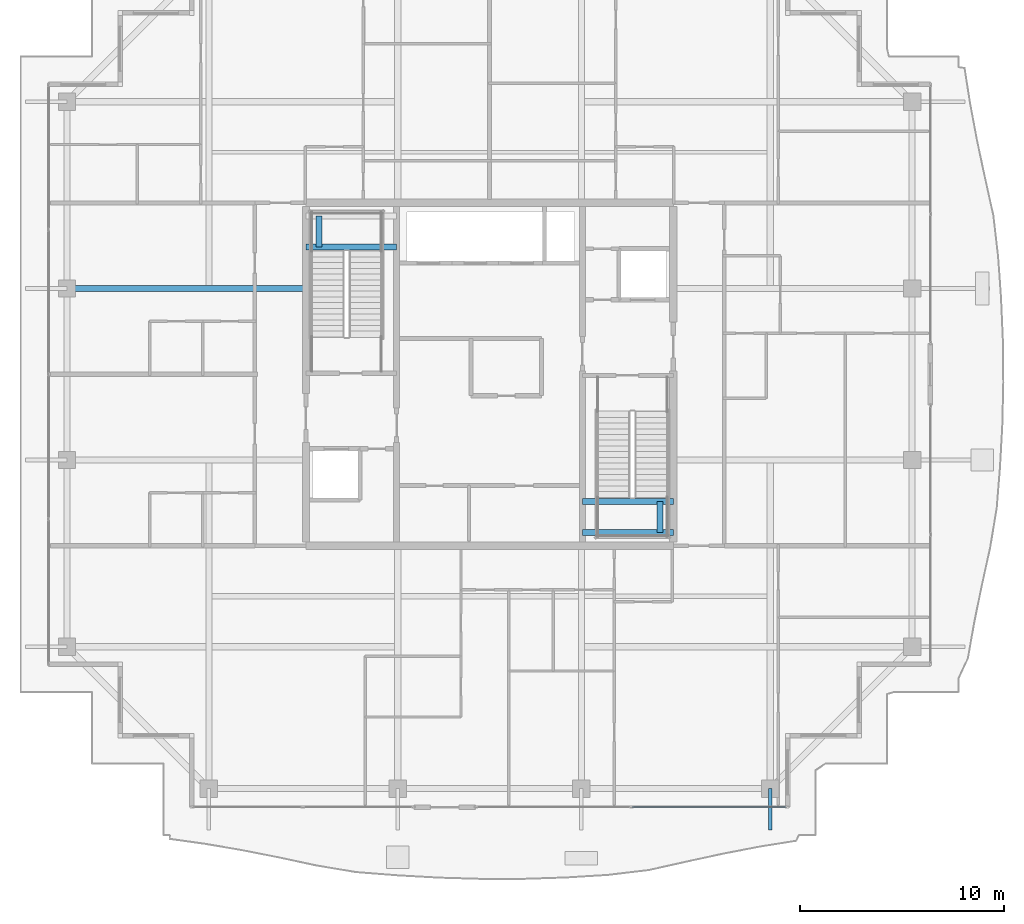
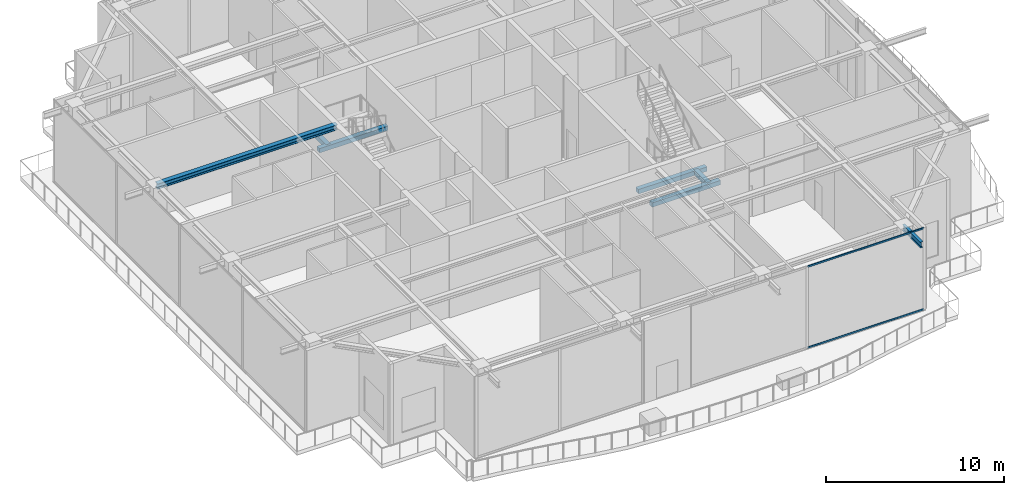
# One storey, part 10 of 38: 7 beams, 2 members, 1 element without a shape of its own.
"""IFC4 building model written with IfcOpenShell, lengths in metres."""

from ifc_helpers import new_model, si_unit, direction, frame, origin, origin_2d, place, context, subcontext, project, spatial, rectangle, hollow_rectangle, i_section, extrude, source, transform, mapped, material, layer, layer_set, material_profile, profile_set, type_object, element, aggregate, save


model = new_model("IFC4")

# Units and contexts
model_context = context("Model", 3, precision=1e-05, world=origin(), true_north=direction((0.0, 1.0)))
body_context = subcontext(model_context, "Body", "Model", "MODEL_VIEW")
ifc_project = project(units=[si_unit("LENGTHUNIT", "METRE"), si_unit("AREAUNIT", "SQUARE_METRE"), si_unit("VOLUMEUNIT", "CUBIC_METRE"), si_unit("PLANEANGLEUNIT", "RADIAN"), si_unit("MASSUNIT", "GRAM", prefix="KILO")], contexts=[model_context])

# Site, building, storey
site_placement = place(None, origin())
site = spatial("IfcSite", under=ifc_project, at=site_placement, CompositionType="ELEMENT")
building_placement = place(site_placement, origin())
building = spatial("IfcBuilding", under=site, at=building_placement, Name="Serunith Strait Residences", CompositionType="ELEMENT")
storey_placement = place(building_placement, frame((0.0, 0.0, 342.050048828125)))
storey = spatial("IfcBuildingStorey", under=building, at=storey_placement, Name="L85", CompositionType="ELEMENT", Elevation=342.050048828125)

# Beams
ifc_material_1 = material(Name="Steel S355J2", Category="steel")
ifc_material_profile_1 = material_profile(ifc_material_1, i_section(OverallWidth=0.300048828125, OverallDepth=0.360107421875, WebThickness=0.012451171875, FlangeThickness=0.0224609375, FilletRadius=0.027099609375, at=origin_2d()), Name="HEB 360")
ifc_profile_set_1 = profile_set([ifc_material_profile_1], Name="Steel S355J2")
beam_type_1 = type_object("IfcBeamType", Name="BM-HEB360", PredefinedType="BEAM", material=ifc_profile_set_1)
shared_shape_1 = source(origin(), body_context, "Body", "SweptSolid", [
    extrude(i_section(OverallWidth=0.300048828125, OverallDepth=0.360107421875, WebThickness=0.012451171875, FlangeThickness=0.0224609375, FilletRadius=0.027099609375, at=origin_2d()), origin(), (0.0, 0.0, 1.0), 11.699951171875),
])
beam_1_placement = place(storey_placement, frame((23.39990234375, 29.39990234375, 5.45703125), z_axis=(-1.0, 0.0, 0.0), x_axis=(0.0, -1.0, 0.0)))
element("IfcBeam", 1, at=beam_1_placement, inside=storey, type_object=beam_type_1, Name="L85 Primary Floor Girder TC-W3", PredefinedType="BEAM", context=body_context, shape_type="MappedRepresentation", body=[
    mapped(shared_shape_1, transform((0.0, 0.0, 0.0), scale=1.0)),
])
ifc_material_profile_2 = material_profile(ifc_material_1, i_section(OverallWidth=0.179931640625, OverallDepth=0.39990234375, WebThickness=0.008544921875, FlangeThickness=0.013427734375, FilletRadius=0.02099609375, at=origin_2d()), Name="IPE 400")
ifc_profile_set_2 = profile_set([ifc_material_profile_2], Name="Steel S355J2")
beam_type_2 = type_object("IfcBeamType", Name="BM-IPE400", PredefinedType="JOIST", material=ifc_profile_set_2)
shared_shape_2 = source(origin(), body_context, "Body", "SweptSolid", [
    extrude(i_section(OverallWidth=0.179931640625, OverallDepth=0.39990234375, WebThickness=0.008544921875, FlangeThickness=0.013427734375, FilletRadius=0.02099609375, at=origin_2d()), origin(), (0.0, 0.0, 1.0), 2.02978515625),
])
beam_2_placement = place(storey_placement, frame((46.14990234375, 4.89990234375, 5.406982421875), z_axis=(0.0, -1.0, 0.0), x_axis=(1.0, 0.0, 0.0)))
element("IfcBeam", 2, at=beam_2_placement, inside=storey, type_object=beam_type_2, Name="L86 Cantilevered Balcony Rib TC-S4", PredefinedType="JOIST", context=body_context, shape_type="MappedRepresentation", body=[
    mapped(shared_shape_2, transform((0.0, 0.0, 0.0), scale=1.0)),
])
ifc_material_2 = material(Name="Concrete C60/75", Category="concrete")
ifc_material_profile_3 = material_profile(ifc_material_2, rectangle(XDim=0.300048828125, YDim=0.300048828125, at=origin_2d()), Name="RC 300x300")
ifc_profile_set_3 = profile_set([ifc_material_profile_3], Name="Concrete C60/75")
beam_type_3 = type_object("IfcBeamType", Name="BM-LAND-300x300", PredefinedType="BEAM", material=ifc_profile_set_3)
shared_shape_3 = source(origin(), body_context, "Body", "SweptSolid", [
    extrude(rectangle(XDim=0.300048828125, YDim=0.300048828125, at=origin_2d()), origin(), (0.0, 0.0, 1.0), 4.4501953125),
])
beam_3_placement = place(storey_placement, frame((23.39990234375, 31.429931640625, 2.599853515625), z_axis=(1.0, 0.0, 0.0), x_axis=(0.0, 1.0, 0.0)))
element("IfcBeam", 3, at=beam_3_placement, inside=storey, type_object=beam_type_3, Name="L85 ST-1 Landing Support Beam 1", PredefinedType="BEAM", context=body_context, shape_type="MappedRepresentation", body=[
    mapped(shared_shape_3, transform((0.0, 0.0, 0.0), scale=1.0)),
])
shared_shape_4 = source(origin(), body_context, "Body", "SweptSolid", [
    extrude(rectangle(XDim=0.300048828125, YDim=0.300048828125, at=origin_2d()), origin(), (0.0, 0.0, 1.0), 1.52001953125),
])
for number, where, z_axis, x_axis, name in (
    (4, (24.050048828125, 31.429931640625, 2.599853515625), (0.0, 1.0, 0.0), (-1.0, 0.0, 0.0), "L85 ST-1 Landing Transverse Tie Beam"),
    (5, (40.75, 17.449951171875, 2.599853515625), (0.0, 1.0, 0.0), (-1.0, 0.0, 0.0), "L85 ST-2 Landing Transverse Tie Beam"),
):
    element("IfcBeam", number, at=place(storey_placement, frame(where, z_axis=z_axis, x_axis=x_axis)), inside=storey, type_object=beam_type_3, Name=name, PredefinedType="BEAM", context=body_context, shape_type="MappedRepresentation", body=[
        mapped(shared_shape_4, transform((0.0, 0.0, 0.0), scale=1.0)),
    ])
shared_shape_5 = source(origin(), body_context, "Body", "SweptSolid", [
    extrude(rectangle(XDim=0.300048828125, YDim=0.300048828125, at=origin_2d()), origin(), (0.0, 0.0, 1.0), 4.449951171875),
])
for number, where, z_axis, x_axis, name in (
    (6, (36.949951171875, 17.449951171875, 2.599853515625), (1.0, 0.0, 0.0), (0.0, 1.0, 0.0), "L85 ST-2 Landing Support Beam 1"),
    (7, (36.949951171875, 18.969970703125, 2.599853515625), (1.0, 0.0, 0.0), (0.0, 1.0, 0.0), "L85 ST-2 Landing Support Beam 2"),
):
    element("IfcBeam", number, at=place(storey_placement, frame(where, z_axis=z_axis, x_axis=x_axis)), inside=storey, type_object=beam_type_3, Name=name, PredefinedType="BEAM", context=body_context, shape_type="MappedRepresentation", body=[
        mapped(shared_shape_5, transform((0.0, 0.0, 0.0), scale=1.0)),
    ])

# Curtain wall, members
ifc_material_3 = material(Name="Brushed Stainless-Silver Aluminium", Category="aluminium")
ifc_layer = layer(ifc_material_3, 0.199951171875, Name="Brushed Stainless-Silver Aluminium")
ifc_layer_set = layer_set([ifc_layer], Name="Brushed Stainless-Silver Aluminium")
curtain_wall_type = type_object("IfcCurtainWallType", Name="CW-SYS5", PredefinedType="NOTDEFINED", material=ifc_layer_set)
curtain_wall_placement = place(storey_placement, origin())
curtain_wall = element("IfcCurtainWall", 8, at=curtain_wall_placement, inside=storey, type_object=curtain_wall_type, Name="L85 S Unitised Fritted Curtain Wall", PredefinedType="NOTDEFINED")
ifc_material_profile_4 = material_profile(ifc_material_3, hollow_rectangle(XDim=0.06005859375, YDim=0.1201171875, WallThickness=0.00341796875, InnerFilletRadius=0.00537109375, OuterFilletRadius=0.0087890625, at=origin_2d()), Name="ALU 120x60x3.5")
ifc_profile_set_4 = profile_set([ifc_material_profile_4], Name="Brushed Stainless-Silver Aluminium")
member_type = type_object("IfcMemberType", Name="CW-SYS5-TRAN", PredefinedType="USERDEFINED", material=ifc_profile_set_4)
shared_shape_6 = source(origin(), body_context, "Body", "SweptSolid", [
    extrude(hollow_rectangle(XDim=0.06005859375, YDim=0.1201171875, WallThickness=0.00341796875, InnerFilletRadius=0.00537109375, OuterFilletRadius=0.0087890625, at=origin_2d()), origin(), (0.0, 0.0, 1.0), 7.552490234375),
])
member_1_placement = place(storey_placement, frame((39.382568359375, 4.0, 0.030029296875), z_axis=(1.0, 0.0, 0.0), x_axis=(0.0, 1.0, 0.0)))
member_1 = element("IfcMember", 9, at=member_1_placement, type_object=member_type, Name="CW-5 transom 2.1", ObjectType="TRANSOM", PredefinedType="USERDEFINED", context=body_context, shape_type="MappedRepresentation", body=[
    mapped(shared_shape_6, transform((0.0, 0.0, 0.0), scale=1.0)),
])
member_2_placement = place(storey_placement, frame((39.382568359375, 4.0, 5.594970703125), z_axis=(1.0, 0.0, 0.0), x_axis=(0.0, 1.0, 0.0)))
member_2 = element("IfcMember", 10, at=member_2_placement, type_object=member_type, Name="CW-5 transom 2.2", ObjectType="TRANSOM", PredefinedType="USERDEFINED", context=body_context, shape_type="MappedRepresentation", body=[
    mapped(shared_shape_6, transform((0.0, 0.0, 0.0), scale=1.0)),
])
aggregate(curtain_wall, [member_1, member_2])

save(model, "model.ifc")
